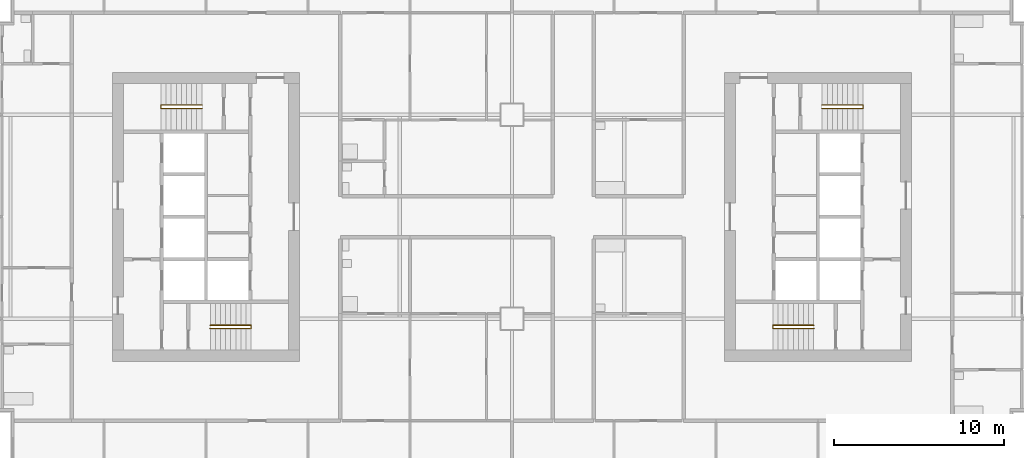
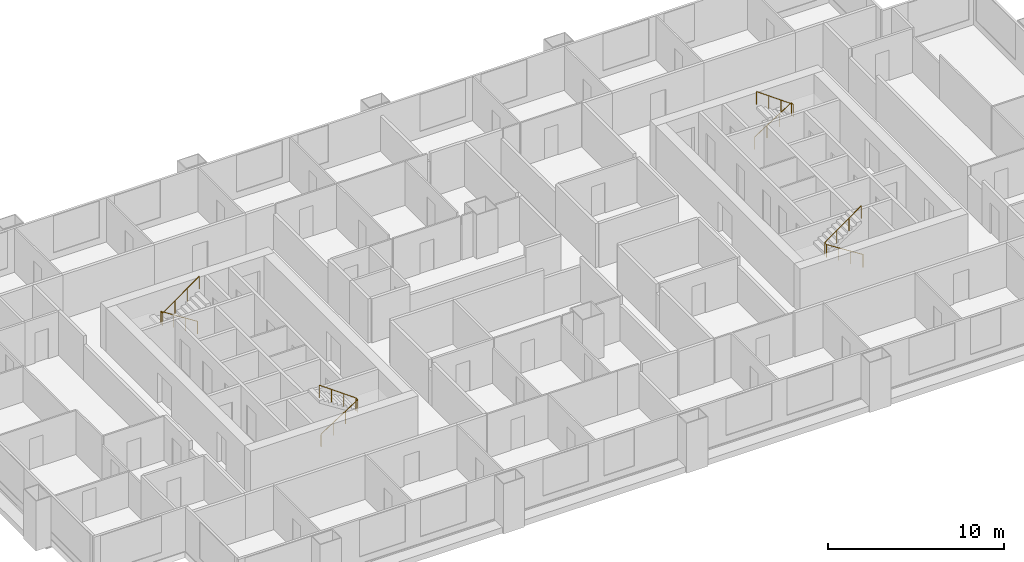
# One storey, part 10 of 11: 4 railings.
"""IFC4 building model written with IfcOpenShell, lengths in metres."""

from ifc_helpers import new_model, si_unit, direction, frame, origin, origin_2d, place, context, subcontext, project, spatial, circle, extrude, material, type_object, element, save


model = new_model("IFC4")

# Units and contexts
model_context = context("Model", 3, precision=1e-05, world=origin(), true_north=direction((0.0, 1.0)))
body_context = subcontext(model_context, "Body", "Model", "MODEL_VIEW")
ifc_project = project(units=[si_unit("LENGTHUNIT", "METRE"), si_unit("AREAUNIT", "SQUARE_METRE"), si_unit("VOLUMEUNIT", "CUBIC_METRE"), si_unit("PLANEANGLEUNIT", "RADIAN"), si_unit("MASSUNIT", "GRAM", prefix="KILO")], contexts=[model_context])

# Site, building, storey
site_placement = place(None, origin())
site = spatial("IfcSite", under=ifc_project, at=site_placement, CompositionType="ELEMENT")
building_placement = place(site_placement, origin())
building = spatial("IfcBuilding", under=site, at=building_placement, Name="Kitamizu Gate Tower and Museum", CompositionType="ELEMENT")
storey_placement = place(building_placement, frame((0.0, 0.0, 127.64990234375)))
storey = spatial("IfcBuildingStorey", under=building, at=storey_placement, Name="L33", CompositionType="ELEMENT", Elevation=127.64990234375)

# Railings
ifc_material = material(Name="Stainless steel SUS304", Category="steel")
railing_type = type_object("IfcRailingType", Name="Stair handrail 900", PredefinedType="HANDRAIL", material=ifc_material)
railing_1_placement = place(storey_placement, frame((18.25, 23.425048828125, 0.191650390625)))
element("IfcRailing", 1, at=railing_1_placement, inside=storey, type_object=railing_type, Name="Stair handrail ST1", PredefinedType="HANDRAIL", context=body_context, shape_type="SweptSolid", body=[
    extrude(circle(Radius=0.02392578125, at=origin_2d()), frame((0.0, 0.0, 0.8759765625), z_axis=(0.842668169335, 0.0, 0.538433242278), x_axis=(0.0, 1.0, 0.0)), (0.0, 0.0, 1.0), 2.847900390625),
    extrude(circle(Radius=0.02392578125, at=origin_2d()), frame((2.39990234375, 0.0, 2.4091796875), z_axis=(0.0, 1.0, 0.0), x_axis=(-1.0, 0.0, 0.0)), (0.0, 0.0, 1.0), 0.199951171875),
    extrude(circle(Radius=0.02392578125, at=origin_2d()), frame((2.39990234375, 0.199951171875, 2.4091796875), z_axis=(-0.811988456656, 0.0, 0.583673492852), x_axis=(0.0, -1.0, 0.0)), (0.0, 0.0, 1.0), 2.95556640625),
    extrude(circle(Radius=0.02099609375, at=origin_2d()), origin(), (0.0, 0.0, 1.0), 0.851806640625),
    extrude(circle(Radius=0.02099609375, at=origin_2d()), frame((0.800048828125, 0.0, 0.51123046875)), (0.0, 0.0, 1.0), 0.851806640625),
    extrude(circle(Radius=0.02099609375, at=origin_2d()), frame((1.599853515625, 0.0, 1.022216796875)), (0.0, 0.0, 1.0), 0.851806640625),
    extrude(circle(Radius=0.02099609375, at=origin_2d()), frame((2.39990234375, 0.0, 1.533447265625)), (0.0, 0.0, 1.0), 0.851806640625),
    extrude(circle(Radius=0.02099609375, at=origin_2d()), frame((2.39990234375, 0.199951171875, 1.533447265625)), (0.0, 0.0, 1.0), 0.851806640625),
    extrude(circle(Radius=0.02099609375, at=origin_2d()), frame((1.599853515625, 0.199951171875, 2.1083984375)), (0.0, 0.0, 1.0), 0.851806640625),
    extrude(circle(Radius=0.02099609375, at=origin_2d()), frame((0.800048828125, 0.199951171875, 2.68359375)), (0.0, 0.0, 1.0), 0.851806640625),
    extrude(circle(Radius=0.02099609375, at=origin_2d()), frame((0.0, 0.199951171875, 3.258544921875)), (0.0, 0.0, 1.0), 0.851806640625),
])
railing_2_placement = place(storey_placement, frame((17.75, 36.574951171875, 0.191650390625)))
element("IfcRailing", 2, at=railing_2_placement, inside=storey, type_object=railing_type, Name="Stair handrail ST2", PredefinedType="HANDRAIL", context=body_context, shape_type="SweptSolid", body=[
    extrude(circle(Radius=0.02392578125, at=origin_2d()), frame((0.0, 0.0, 0.8759765625), z_axis=(-0.842668169335, 0.0, 0.538433242278), x_axis=(0.0, -1.0, 0.0)), (0.0, 0.0, 1.0), 2.847900390625),
    extrude(circle(Radius=0.02392578125, at=origin_2d()), frame((-2.39990234375, 0.0, 2.4091796875), z_axis=(0.0, -1.0, 0.0), x_axis=(1.0, 0.0, 0.0)), (0.0, 0.0, 1.0), 0.199951171875),
    extrude(circle(Radius=0.02392578125, at=origin_2d()), frame((-2.39990234375, -0.199951171875, 2.4091796875), z_axis=(0.811988456656, 0.0, 0.583673492852), x_axis=(0.0, 1.0, 0.0)), (0.0, 0.0, 1.0), 2.95556640625),
    extrude(circle(Radius=0.02099609375, at=origin_2d()), origin(), (0.0, 0.0, 1.0), 0.851806640625),
    extrude(circle(Radius=0.02099609375, at=origin_2d()), frame((-0.800048828125, 0.0, 0.51123046875)), (0.0, 0.0, 1.0), 0.851806640625),
    extrude(circle(Radius=0.02099609375, at=origin_2d()), frame((-1.599853515625, 0.0, 1.022216796875)), (0.0, 0.0, 1.0), 0.851806640625),
    extrude(circle(Radius=0.02099609375, at=origin_2d()), frame((-2.39990234375, 0.0, 1.533447265625)), (0.0, 0.0, 1.0), 0.851806640625),
    extrude(circle(Radius=0.02099609375, at=origin_2d()), frame((-2.39990234375, -0.199951171875, 1.533447265625)), (0.0, 0.0, 1.0), 0.851806640625),
    extrude(circle(Radius=0.02099609375, at=origin_2d()), frame((-1.599853515625, -0.199951171875, 2.1083984375)), (0.0, 0.0, 1.0), 0.851806640625),
    extrude(circle(Radius=0.02099609375, at=origin_2d()), frame((-0.800048828125, -0.199951171875, 2.68359375)), (0.0, 0.0, 1.0), 0.851806640625),
    extrude(circle(Radius=0.02099609375, at=origin_2d()), frame((0.0, -0.199951171875, 3.258544921875)), (0.0, 0.0, 1.0), 0.851806640625),
])
railing_3_placement = place(storey_placement, frame((53.75, 23.425048828125, 0.191650390625)))
element("IfcRailing", 3, at=railing_3_placement, inside=storey, type_object=railing_type, Name="Stair handrail ST3", PredefinedType="HANDRAIL", context=body_context, shape_type="SweptSolid", body=[
    extrude(circle(Radius=0.02392578125, at=origin_2d()), frame((0.0, 0.0, 0.8759765625), z_axis=(-0.842668169335, 0.0, 0.538433242278), x_axis=(0.0, -1.0, 0.0)), (0.0, 0.0, 1.0), 2.847900390625),
    extrude(circle(Radius=0.02392578125, at=origin_2d()), frame((-2.39990234375, 0.0, 2.4091796875), z_axis=(0.0, 1.0, 0.0), x_axis=(-1.0, 0.0, 0.0)), (0.0, 0.0, 1.0), 0.199951171875),
    extrude(circle(Radius=0.02392578125, at=origin_2d()), frame((-2.39990234375, 0.199951171875, 2.4091796875), z_axis=(0.811988456656, 0.0, 0.583673492852), x_axis=(0.0, 1.0, 0.0)), (0.0, 0.0, 1.0), 2.95556640625),
    extrude(circle(Radius=0.02099609375, at=origin_2d()), origin(), (0.0, 0.0, 1.0), 0.851806640625),
    extrude(circle(Radius=0.02099609375, at=origin_2d()), frame((-0.800048828125, 0.0, 0.51123046875)), (0.0, 0.0, 1.0), 0.851806640625),
    extrude(circle(Radius=0.02099609375, at=origin_2d()), frame((-1.599853515625, 0.0, 1.022216796875)), (0.0, 0.0, 1.0), 0.851806640625),
    extrude(circle(Radius=0.02099609375, at=origin_2d()), frame((-2.39990234375, 0.0, 1.533447265625)), (0.0, 0.0, 1.0), 0.851806640625),
    extrude(circle(Radius=0.02099609375, at=origin_2d()), frame((-2.39990234375, 0.199951171875, 1.533447265625)), (0.0, 0.0, 1.0), 0.851806640625),
    extrude(circle(Radius=0.02099609375, at=origin_2d()), frame((-1.599853515625, 0.199951171875, 2.1083984375)), (0.0, 0.0, 1.0), 0.851806640625),
    extrude(circle(Radius=0.02099609375, at=origin_2d()), frame((-0.800048828125, 0.199951171875, 2.68359375)), (0.0, 0.0, 1.0), 0.851806640625),
    extrude(circle(Radius=0.02099609375, at=origin_2d()), frame((0.0, 0.199951171875, 3.258544921875)), (0.0, 0.0, 1.0), 0.851806640625),
])
railing_4_placement = place(storey_placement, frame((54.25, 36.574951171875, 0.191650390625)))
element("IfcRailing", 4, at=railing_4_placement, inside=storey, type_object=railing_type, Name="Stair handrail ST4", PredefinedType="HANDRAIL", context=body_context, shape_type="SweptSolid", body=[
    extrude(circle(Radius=0.02392578125, at=origin_2d()), frame((0.0, 0.0, 0.8759765625), z_axis=(0.842668169335, 0.0, 0.538433242278), x_axis=(0.0, 1.0, 0.0)), (0.0, 0.0, 1.0), 2.847900390625),
    extrude(circle(Radius=0.02392578125, at=origin_2d()), frame((2.39990234375, 0.0, 2.4091796875), z_axis=(0.0, -1.0, 0.0), x_axis=(1.0, 0.0, 0.0)), (0.0, 0.0, 1.0), 0.199951171875),
    extrude(circle(Radius=0.02392578125, at=origin_2d()), frame((2.39990234375, -0.199951171875, 2.4091796875), z_axis=(-0.811988456656, 0.0, 0.583673492852), x_axis=(0.0, -1.0, 0.0)), (0.0, 0.0, 1.0), 2.95556640625),
    extrude(circle(Radius=0.02099609375, at=origin_2d()), origin(), (0.0, 0.0, 1.0), 0.851806640625),
    extrude(circle(Radius=0.02099609375, at=origin_2d()), frame((0.800048828125, 0.0, 0.51123046875)), (0.0, 0.0, 1.0), 0.851806640625),
    extrude(circle(Radius=0.02099609375, at=origin_2d()), frame((1.599853515625, 0.0, 1.022216796875)), (0.0, 0.0, 1.0), 0.851806640625),
    extrude(circle(Radius=0.02099609375, at=origin_2d()), frame((2.39990234375, 0.0, 1.533447265625)), (0.0, 0.0, 1.0), 0.851806640625),
    extrude(circle(Radius=0.02099609375, at=origin_2d()), frame((2.39990234375, -0.199951171875, 1.533447265625)), (0.0, 0.0, 1.0), 0.851806640625),
    extrude(circle(Radius=0.02099609375, at=origin_2d()), frame((1.599853515625, -0.199951171875, 2.1083984375)), (0.0, 0.0, 1.0), 0.851806640625),
    extrude(circle(Radius=0.02099609375, at=origin_2d()), frame((0.800048828125, -0.199951171875, 2.68359375)), (0.0, 0.0, 1.0), 0.851806640625),
    extrude(circle(Radius=0.02099609375, at=origin_2d()), frame((0.0, -0.199951171875, 3.258544921875)), (0.0, 0.0, 1.0), 0.851806640625),
])

save(model, "model.ifc")
